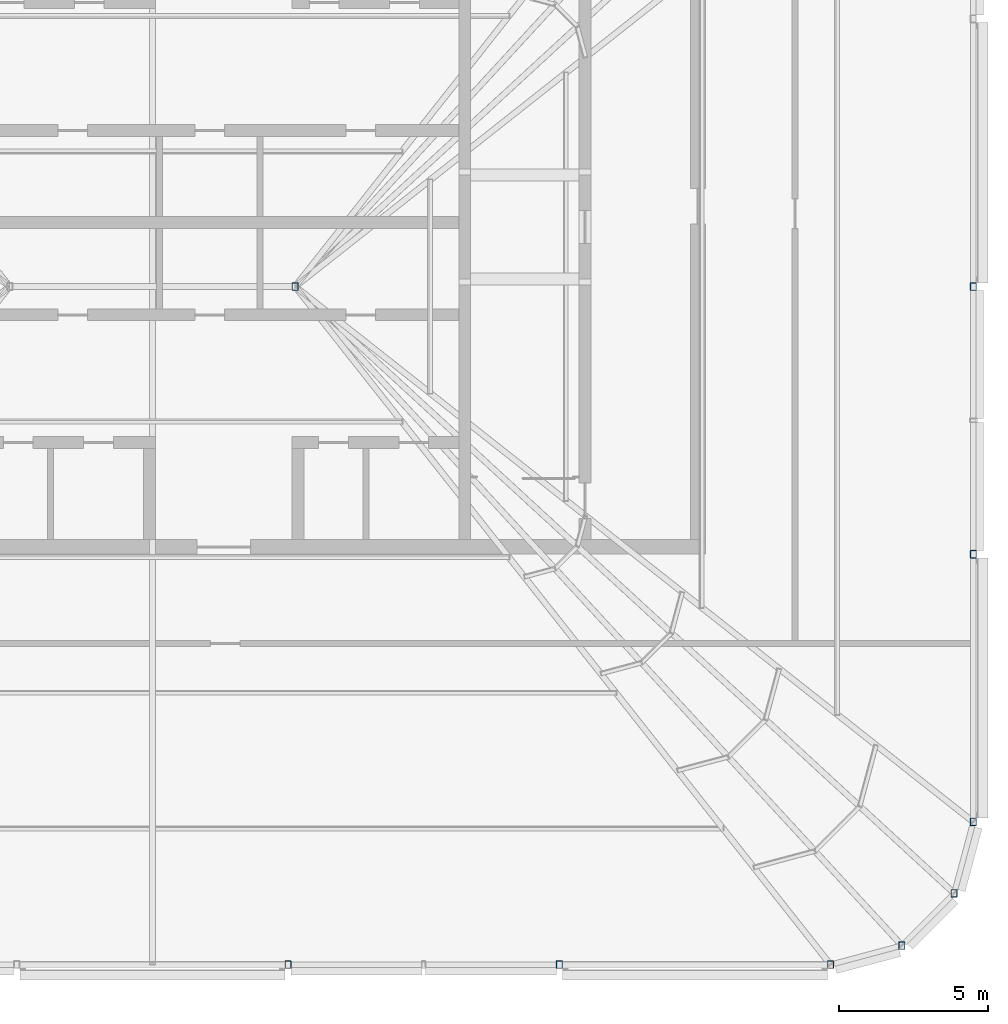
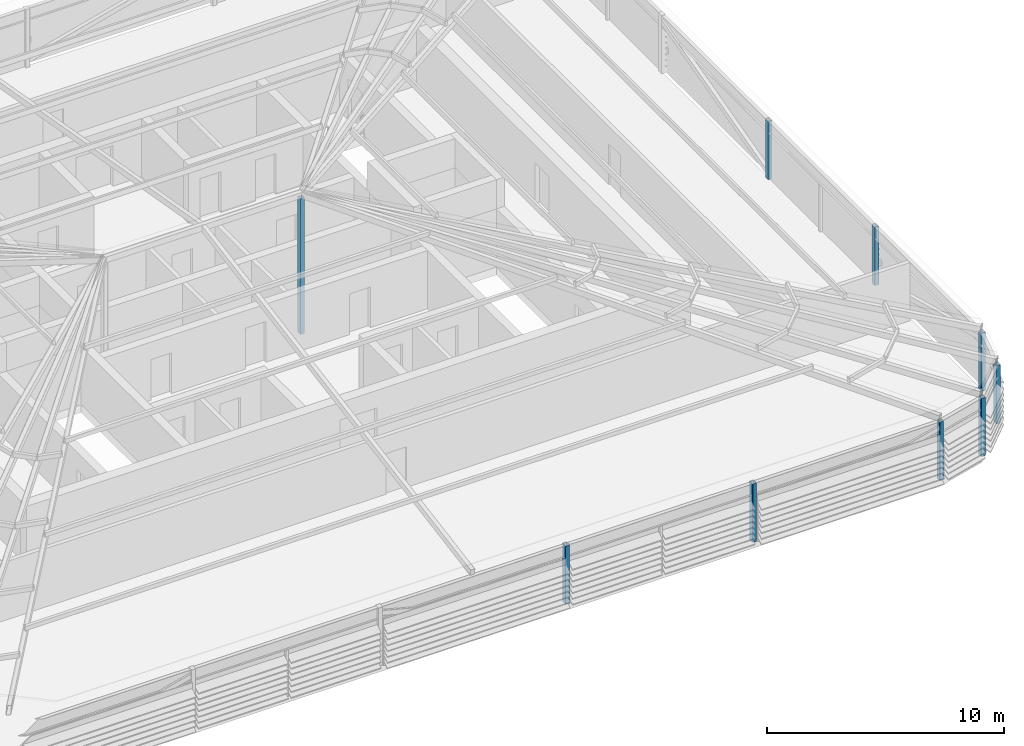
# One storey, part 2 of 46: 9 columns.
"""IFC4 building model written with IfcOpenShell, lengths in metres."""

from ifc_helpers import new_model, si_unit, direction, frame, origin, origin_2d, place, context, subcontext, project, spatial, hollow_rectangle, extrude, material, material_profile, profile_set, type_object, element, save


model = new_model("IFC4")

# Units and contexts
model_context = context("Model", 3, precision=1e-05, world=origin(), true_north=direction((0.0, 1.0)))
body_context = subcontext(model_context, "Body", "Model", "MODEL_VIEW")
ifc_project = project(units=[si_unit("LENGTHUNIT", "METRE"), si_unit("AREAUNIT", "SQUARE_METRE"), si_unit("VOLUMEUNIT", "CUBIC_METRE"), si_unit("PLANEANGLEUNIT", "RADIAN"), si_unit("MASSUNIT", "GRAM", prefix="KILO")], contexts=[model_context])

# Site, building, storey
site_placement = place(None, origin())
site = spatial("IfcSite", under=ifc_project, at=site_placement, CompositionType="ELEMENT")
building_placement = place(site_placement, origin())
building = spatial("IfcBuilding", under=site, at=building_placement, Name="Madar Terraces", CompositionType="ELEMENT")
storey_placement = place(building_placement, frame((0.0, 0.0, 317.300048828125)))
storey = spatial("IfcBuildingStorey", under=building, at=storey_placement, Name="L82", CompositionType="ELEMENT", Elevation=317.300048828125)

# Columns
ifc_material = material(Name="Steel ASTM A500 Grade C", Category="steel")
ifc_material_profile = material_profile(ifc_material, hollow_rectangle(XDim=0.203125, YDim=0.25390625, WallThickness=0.009521484375, InnerFilletRadius=0.00439453125, OuterFilletRadius=0.01318359375, at=origin_2d()), Name="HSS10x8x.375")
ifc_profile_set = profile_set([ifc_material_profile], Name="Steel ASTM A500 Grade C")
column_type = type_object("IfcColumnType", Name="CF1 HSS10x8x.375", PredefinedType="COLUMN", material=ifc_profile_set)
for number, where, z_axis, x_axis, name in (
    (1, (33.360107421875, 1.199951171875, 0.0), (0.0, 0.0, 1.0), (1.0, 0.0, 0.0), "Crown frame column CF1"),
    (2, (42.47998046875, 1.199951171875, 0.0), (0.0, 0.0, 1.0), (1.0, 0.0, 0.0), "Crown frame column CF1"),
    (3, (51.60009765625, 1.199951171875, 0.0), (0.0, 0.0, 1.0), (1.0, 0.0, 0.0), "Crown frame column CF1"),
    (4, (54.0, 1.843017578125, 0.0), (0.0, 0.0, 1.0), (1.0, 0.0, 0.0), "Crown frame column CF1"),
    (5, (55.7568359375, 3.60009765625, 0.0), (0.0, 0.0, 1.0), (1.0, 0.0, 0.0), "Crown frame column CF1"),
    (6, (56.39990234375, 6.0, 0.0), (0.0, 0.0, 1.0), (1.0, 0.0, 0.0), "Crown frame column CF1"),
    (7, (56.39990234375, 15.0, 0.0), (0.0, 0.0, 1.0), (1.0, 0.0, 0.0), "Crown frame column CF1"),
    (8, (56.39990234375, 24.0, 0.0), (0.0, 0.0, 1.0), (1.0, 0.0, 0.0), "Crown frame column CF1"),
):
    element("IfcColumn", number, at=place(storey_placement, frame(where, z_axis=z_axis, x_axis=x_axis)), inside=storey, type_object=column_type, Name=name, PredefinedType="COLUMN", context=body_context, shape_type="SweptSolid", body=[
        extrude(hollow_rectangle(XDim=0.203125, YDim=0.25390625, WallThickness=0.009521484375, InnerFilletRadius=0.00439453125, OuterFilletRadius=0.01318359375, at=origin_2d()), origin(), (0.0, 0.0, 1.0), 3.0),
    ])
column_placement = place(storey_placement, frame((33.60009765625, 24.0, 0.0), z_axis=(0.0, 0.0, 1.0), x_axis=(1.0, 0.0, 0.0)))
element("IfcColumn", 9, at=column_placement, inside=storey, type_object=column_type, Name="Crown frame roof post CF1", PredefinedType="COLUMN", context=body_context, shape_type="SweptSolid", body=[
    extrude(hollow_rectangle(XDim=0.203125, YDim=0.25390625, WallThickness=0.009521484375, InnerFilletRadius=0.00439453125, OuterFilletRadius=0.01318359375, at=origin_2d()), origin(), (0.0, 0.0, 1.0), 6.995361328125),
])

save(model, "model.ifc")
